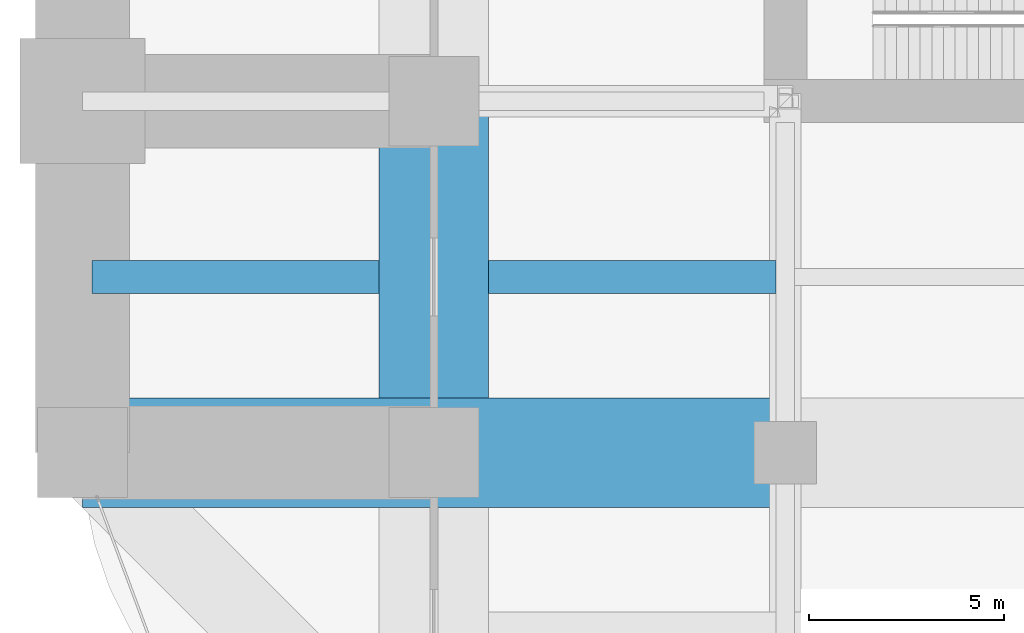
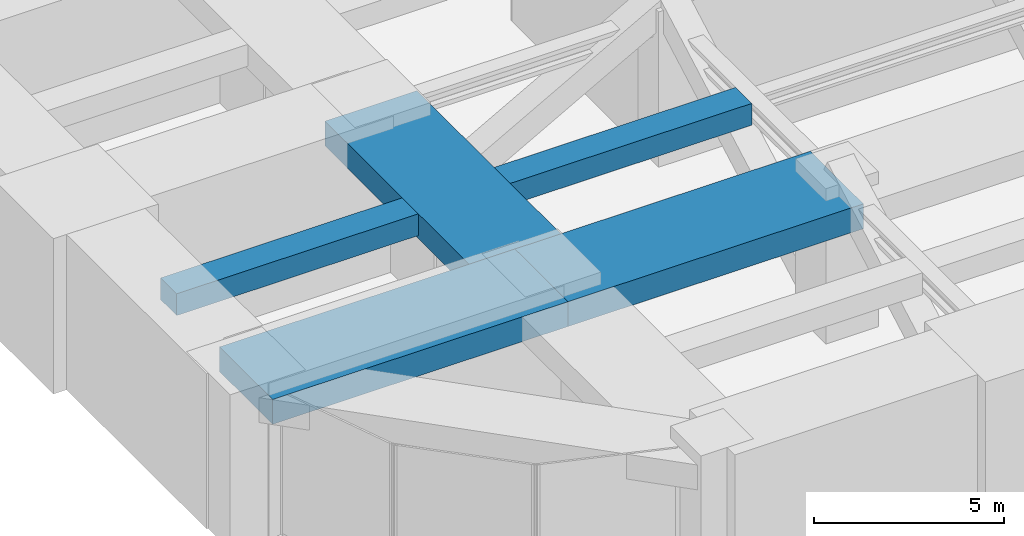
# One storey, part 5 of 32: 5 beams.
"""IFC4 building model written with IfcOpenShell, lengths in metres."""

from ifc_helpers import new_model, si_unit, direction, frame, origin, origin_2d, place, context, subcontext, project, spatial, rectangle, extrude, material, material_profile, profile_set, type_object, element, save


model = new_model("IFC4")

# Units and contexts
model_context = context("Model", 3, precision=1e-05, world=origin(), true_north=direction((0.0, 1.0)))
body_context = subcontext(model_context, "Body", "Model", "MODEL_VIEW")
ifc_project = project(units=[si_unit("LENGTHUNIT", "METRE"), si_unit("AREAUNIT", "SQUARE_METRE"), si_unit("VOLUMEUNIT", "CUBIC_METRE"), si_unit("PLANEANGLEUNIT", "RADIAN"), si_unit("MASSUNIT", "GRAM", prefix="KILO")], contexts=[model_context])

# Site, building, storey
site_placement = place(None, origin())
site = spatial("IfcSite", under=ifc_project, at=site_placement, CompositionType="ELEMENT")
building_placement = place(site_placement, origin())
building = spatial("IfcBuilding", under=site, at=building_placement, Name="Zorevar Civic Tower", CompositionType="ELEMENT")
storey_placement = place(building_placement, frame((0.0, 0.0, 234.39990234375)))
storey = spatial("IfcBuildingStorey", under=building, at=storey_placement, Name="L57", CompositionType="ELEMENT", Elevation=234.39990234375)

# Beams
ifc_material_1 = material(Name="Concrete C50/60", Category="concrete")
ifc_material_profile_1 = material_profile(ifc_material_1, rectangle(XDim=2.800048828125, YDim=0.800048828125, at=origin_2d()), Name="RC 2800x800")
ifc_profile_set_1 = profile_set([ifc_material_profile_1], Name="Concrete C50/60")
beam_type_1 = type_object("IfcBeamType", Name="Beam RC 2800x800", PredefinedType="BEAM", material=ifc_profile_set_1)
for number, where, z_axis, x_axis, name in (
    (1, (0.0, 9.0, 4.2001953125), (1.0, 0.0, 0.0), (0.0, 1.0, 0.0), "Girder L58"),
    (2, (9.0, 9.0, 4.2001953125), (1.0, 0.0, 0.0), (0.0, 1.0, 0.0), "Girder L58"),
    (3, (9.0, 9.0, 4.2001953125), (0.0, 1.0, 0.0), (-1.0, 0.0, 0.0), "Girder L58"),
):
    element("IfcBeam", number, at=place(storey_placement, frame(where, z_axis=z_axis, x_axis=x_axis)), inside=storey, type_object=beam_type_1, Name=name, PredefinedType="BEAM", context=body_context, shape_type="SweptSolid", body=[
        extrude(rectangle(XDim=2.800048828125, YDim=0.800048828125, at=origin_2d()), origin(), (0.0, 0.0, 1.0), 9.0),
    ])
ifc_material_2 = material(Name="Concrete C50/60", Category="concrete")
ifc_material_profile_2 = material_profile(ifc_material_2, rectangle(XDim=0.85009765625, YDim=0.699951171875, at=origin_2d()), Name="RC 850x700")
ifc_profile_set_2 = profile_set([ifc_material_profile_2], Name="Concrete C50/60")
beam_type_2 = type_object("IfcBeamType", Name="Beam RC 850x700", PredefinedType="BEAM", material=ifc_profile_set_2)
for number, where, z_axis, x_axis, name in (
    (4, (0.238037109375, 13.5, 4.25), (1.0, 0.0, 0.0), (0.0, 1.0, 0.0), "Secondary beam L58"),
    (5, (10.39990234375, 13.5, 4.25), (1.0, 0.0, 0.0), (0.0, 1.0, 0.0), "Secondary beam L58"),
):
    element("IfcBeam", number, at=place(storey_placement, frame(where, z_axis=z_axis, x_axis=x_axis)), inside=storey, type_object=beam_type_2, Name=name, PredefinedType="BEAM", context=body_context, shape_type="SweptSolid", body=[
        extrude(rectangle(XDim=0.85009765625, YDim=0.699951171875, at=origin_2d()), origin(), (0.0, 0.0, 1.0), 7.362060546875),
    ])

save(model, "model.ifc")
